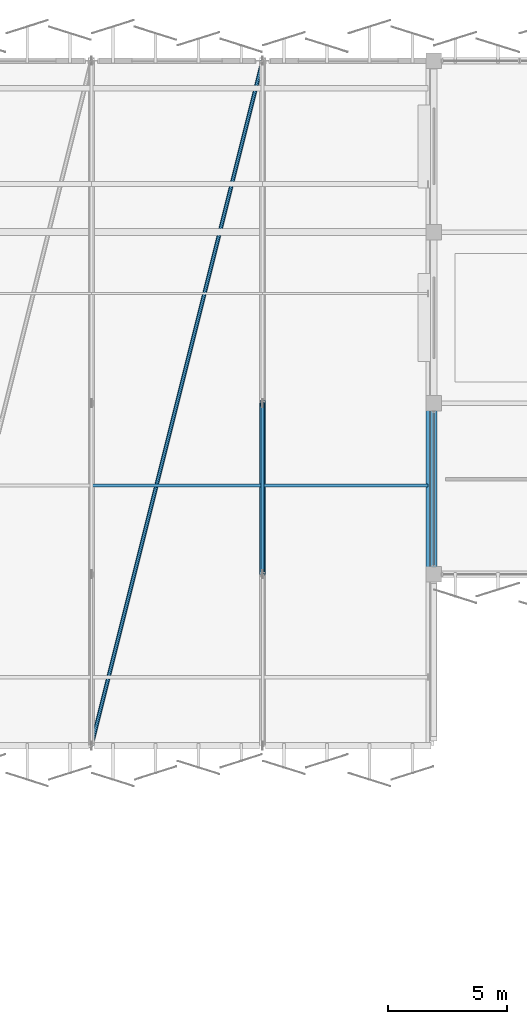
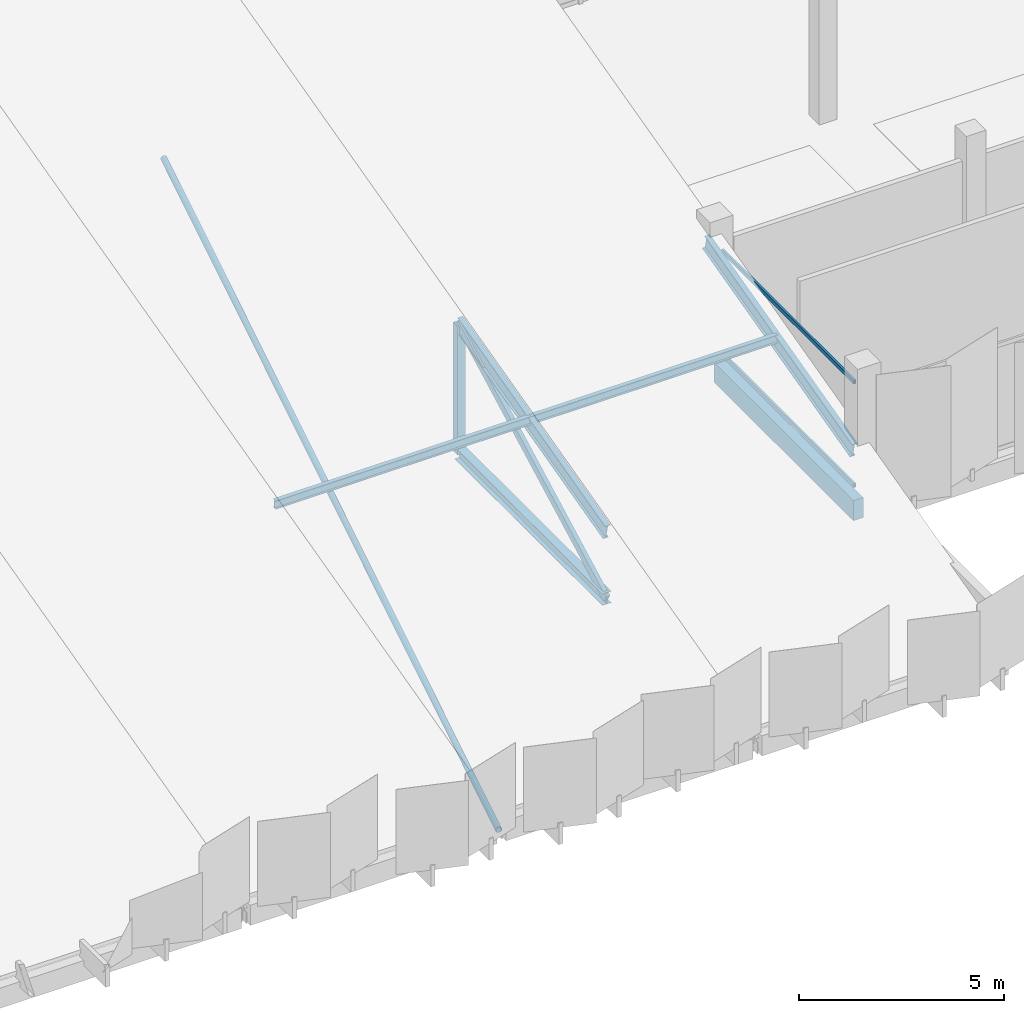
# One storey, part 34 of 108: 10 members, 1 beam, 1 element without a shape of its own.
"""IFC4 building model written with IfcOpenShell, lengths in metres."""

from ifc_helpers import new_model, si_unit, direction, frame, origin, origin_2d, place, context, subcontext, project, spatial, rectangle, hollow_rectangle, hollow_circle, i_section, extrude, material, layer, layer_set, material_profile, profile_set, type_object, element, aggregate, save


model = new_model("IFC4")

# Units and contexts
model_context = context("Model", 3, precision=1e-05, world=origin(), true_north=direction((0.0, 1.0)))
body_context = subcontext(model_context, "Body", "Model", "MODEL_VIEW")
ifc_project = project(units=[si_unit("LENGTHUNIT", "METRE"), si_unit("AREAUNIT", "SQUARE_METRE"), si_unit("VOLUMEUNIT", "CUBIC_METRE"), si_unit("PLANEANGLEUNIT", "RADIAN"), si_unit("MASSUNIT", "GRAM", prefix="KILO")], contexts=[model_context])

# Site, building, storey
site_placement = place(None, origin())
site = spatial("IfcSite", under=ifc_project, at=site_placement, CompositionType="ELEMENT")
building_placement = place(site_placement, origin())
building = spatial("IfcBuilding", under=site, at=building_placement, Name="Kangsadwip Square Police Headquarters", CompositionType="ELEMENT")
storey_placement = place(building_placement, frame((0.0, 0.0, 9.449951171875)))
storey = spatial("IfcBuildingStorey", under=building, at=storey_placement, Name="L02", CompositionType="ELEMENT", Elevation=9.449951171875)

# Curtain wall, members
ifc_material_1 = material(Name="Thermally broken anodised aluminium AW-6063-T6", Category="aluminium")
ifc_layer = layer(ifc_material_1, 0.159912109375)
ifc_layer_set = layer_set([ifc_layer], Name="Thermally broken anodised aluminium AW-6063-T6")
curtain_wall_type = type_object("IfcCurtainWallType", Name="CourtScreen6560x3200", PredefinedType="USERDEFINED", material=ifc_layer_set)
curtain_wall_placement = place(storey_placement, origin())
curtain_wall = element("IfcCurtainWall", 1, at=curtain_wall_placement, inside=storey, type_object=curtain_wall_type, Name="Curtain Wall CW-L02-0936-0939", ObjectType="GLAZED_SCREEN", PredefinedType="USERDEFINED")
ifc_material_2 = material(Name="Thermally broken anodised aluminium AW-6063-T6", Category="aluminium")
ifc_material_profile_1 = material_profile(ifc_material_2, hollow_rectangle(XDim=0.06005859375, YDim=0.1201171875, WallThickness=0.00390625, at=origin_2d()), Name="CWT 120X60X4")
ifc_profile_set_1 = profile_set([ifc_material_profile_1], Name="Thermally broken anodised aluminium AW-6063-T6")
member_type_1 = type_object("IfcMemberType", Name="CwTransom120x55", PredefinedType="USERDEFINED", material=ifc_profile_set_1)
member_1_placement = place(storey_placement, frame((93.60009765625, 93.97998046875, 0.06005859375), z_axis=(0.0, 1.0, 0.0), x_axis=(-1.0, 0.0, 0.0)))
member_1 = element("IfcMember", 2, at=member_1_placement, type_object=member_type_1, Name="CW-33 transom 1.1", ObjectType="TRANSOM", PredefinedType="USERDEFINED", context=body_context, shape_type="SweptSolid", body=[
    extrude(hollow_rectangle(XDim=0.06005859375, YDim=0.1201171875, WallThickness=0.00390625, at=origin_2d()), origin(), (0.0, 0.0, 1.0), 6.43994140625),
])
member_2_placement = place(storey_placement, frame((93.60009765625, 93.97998046875, 3.14013671875), z_axis=(0.0, 1.0, 0.0), x_axis=(-1.0, 0.0, 0.0)))
member_2 = element("IfcMember", 3, at=member_2_placement, type_object=member_type_1, Name="CW-33 transom 1.2", ObjectType="TRANSOM", PredefinedType="USERDEFINED", context=body_context, shape_type="SweptSolid", body=[
    extrude(hollow_rectangle(XDim=0.06005859375, YDim=0.1201171875, WallThickness=0.00390625, at=origin_2d()), origin(), (0.0, 0.0, 1.0), 6.43994140625),
])
aggregate(curtain_wall, [member_1, member_2])

# Beam
ifc_material_3 = material(Name="Concrete M40 (40 MPa)", Category="concrete")
ifc_material_profile_2 = material_profile(ifc_material_3, rectangle(XDim=0.280029296875, YDim=0.60009765625, at=origin_2d()), Name="RC SPN 600X280")
ifc_profile_set_2 = profile_set([ifc_material_profile_2], Name="Concrete M40 (40 MPa)")
beam_type = type_object("IfcBeamType", Name="RcSpandrel600x280", PredefinedType="SPANDREL", material=ifc_profile_set_2)
beam_placement = place(storey_placement, frame((93.60009765625, 93.800048828125, -0.5400390625), z_axis=(0.0, 1.0, 0.0), x_axis=(-1.0, 0.0, 0.0)))
element("IfcBeam", 4, at=beam_placement, inside=storey, type_object=beam_type, Name="Beam BM-L02-Y-13-13", PredefinedType="SPANDREL", context=body_context, shape_type="SweptSolid", body=[
    extrude(rectangle(XDim=0.280029296875, YDim=0.60009765625, at=origin_2d()), origin(), (0.0, 0.0, 1.0), 6.800048828125),
])

# Members
ifc_material_4 = material(Name="Structural steel IS 2062 E350 (Grade 350, 350 MPa)", Category="steel")
ifc_material_profile_3 = material_profile(ifc_material_4, i_section(OverallWidth=0.125, OverallDepth=0.25, WebThickness=0.0068359375, FlangeThickness=0.012451171875, at=origin_2d()), Name="ISMB 250")
ifc_profile_set_3 = profile_set([ifc_material_profile_3], Name="Structural steel IS 2062 E350 (Grade 350, 350 MPa)")
member_type_2 = type_object("IfcMemberType", Name="RoofPurlinIsmb250", PredefinedType="PURLIN", material=ifc_profile_set_3)
member_3_placement = place(storey_placement, frame((79.199951171875, 97.343994140625, 2.507080078125), z_axis=(1.0, 0.0, 0.0), x_axis=(0.0, 1.0, 0.0)))
element("IfcMember", 5, at=member_3_placement, inside=storey, type_object=member_type_2, Name="Truss Member MEM-L02-0109", PredefinedType="PURLIN", context=body_context, shape_type="SweptSolid", body=[
    extrude(i_section(OverallWidth=0.125, OverallDepth=0.25, WebThickness=0.0068359375, FlangeThickness=0.012451171875, at=origin_2d()), origin(), (0.0, 0.0, 1.0), 7.199951171875),
])
member_4_placement = place(storey_placement, frame((86.39990234375, 97.343994140625, 2.507080078125), z_axis=(1.0, 0.0, 0.0), x_axis=(0.0, 1.0, 0.0)))
element("IfcMember", 6, at=member_4_placement, inside=storey, type_object=member_type_2, Name="Truss Member MEM-L02-0115", PredefinedType="PURLIN", context=body_context, shape_type="SweptSolid", body=[
    extrude(i_section(OverallWidth=0.125, OverallDepth=0.25, WebThickness=0.0068359375, FlangeThickness=0.012451171875, at=origin_2d()), origin(), (0.0, 0.0, 1.0), 6.9501953125),
])
ifc_material_5 = material(Name="Structural steel IS 2062 E350 (Grade 350, 350 MPa)", Category="steel")
ifc_material_profile_4 = material_profile(ifc_material_5, hollow_circle(Radius=0.083984375, WallThickness=0.008056640625, at=origin_2d()), Name="CHS 168X8")
ifc_profile_set_4 = profile_set([ifc_material_profile_4], Name="Structural steel IS 2062 E350 (Grade 350, 350 MPa)")
member_type_3 = type_object("IfcMemberType", Name="RoofWindBraceChs168", PredefinedType="BRACE", material=ifc_profile_set_4)
member_5_placement = place(storey_placement, frame((79.199951171875, 86.39990234375, -0.550048828125), z_axis=(0.242533689979, 0.970142983908, 0.0), x_axis=(-0.970142983908, 0.242533689979, 0.0)))
element("IfcMember", 7, at=member_5_placement, inside=storey, type_object=member_type_3, Name="Truss Member MEM-L02-0113", PredefinedType="BRACE", context=body_context, shape_type="SweptSolid", body=[
    extrude(hollow_circle(Radius=0.083984375, WallThickness=0.008056640625, at=origin_2d()), origin(), (0.0, 0.0, 1.0), 29.686279296875),
])
ifc_material_6 = material(Name="Structural steel IS 2062 E350 (Grade 350, 350 MPa)", Category="steel")
ifc_material_profile_5 = material_profile(ifc_material_6, i_section(OverallWidth=0.14990234375, OverallDepth=0.449951171875, WebThickness=0.009521484375, FlangeThickness=0.017333984375, at=origin_2d()), Name="ISMB 450")
ifc_profile_set_5 = profile_set([ifc_material_profile_5], Name="Structural steel IS 2062 E350 (Grade 350, 350 MPa)")
member_type_4 = type_object("IfcMemberType", Name="SawtoothRafterIsmb450", PredefinedType="RAFTER", material=ifc_profile_set_5)
for number, where, z_axis, x_axis, name in (
    (8, (86.39990234375, 93.60009765625, 1.429931640625), (0.0, 0.96853569304, 0.248874689968), (-1.0, 0.0, 0.0), "Truss Member MEM-L02-0068"),
    (9, (93.35009765625, 93.60009765625, 1.429931640625), (0.0, 0.96853569304, 0.248874689968), (-1.0, 0.0, 0.0), "Truss Member MEM-L02-0077"),
):
    element("IfcMember", number, at=place(storey_placement, frame(where, z_axis=z_axis, x_axis=x_axis)), inside=storey, type_object=member_type_4, Name=name, PredefinedType="RAFTER", context=body_context, shape_type="SweptSolid", body=[
        extrude(i_section(OverallWidth=0.14990234375, OverallDepth=0.449951171875, WebThickness=0.009521484375, FlangeThickness=0.017333984375, at=origin_2d()), origin(), (0.0, 0.0, 1.0), 7.433837890625),
    ])
ifc_material_7 = material(Name="Structural steel IS 2062 E350 (Grade 350, 350 MPa)", Category="steel")
ifc_material_profile_6 = material_profile(ifc_material_7, i_section(OverallWidth=0.25, OverallDepth=0.35009765625, WebThickness=0.010009765625, FlangeThickness=0.01171875, at=origin_2d()), Name="ISHB 350")
ifc_profile_set_6 = profile_set([ifc_material_profile_6], Name="Structural steel IS 2062 E350 (Grade 350, 350 MPa)")
member_type_5 = type_object("IfcMemberType", Name="TrussBotChordIshb350", PredefinedType="CHORD", material=ifc_profile_set_6)
member_6_placement = place(storey_placement, frame((86.39990234375, 93.60009765625, -0.550048828125), z_axis=(0.0, 1.0, 0.0), x_axis=(-1.0, 0.0, 0.0)))
element("IfcMember", 10, at=member_6_placement, inside=storey, type_object=member_type_5, Name="Truss Member MEM-L02-0065", PredefinedType="CHORD", context=body_context, shape_type="SweptSolid", body=[
    extrude(i_section(OverallWidth=0.25, OverallDepth=0.35009765625, WebThickness=0.010009765625, FlangeThickness=0.01171875, at=origin_2d()), origin(), (0.0, 0.0, 1.0), 7.199951171875),
])
ifc_material_8 = material(Name="Structural steel IS 2062 E350 (Grade 350, 350 MPa)", Category="steel")
ifc_material_profile_7 = material_profile(ifc_material_8, hollow_rectangle(XDim=0.1201171875, YDim=0.239990234375, WallThickness=0.008056640625, at=origin_2d()), Name="RHS 240X120X8")
ifc_profile_set_7 = profile_set([ifc_material_profile_7], Name="Structural steel IS 2062 E350 (Grade 350, 350 MPa)")
member_type_6 = type_object("IfcMemberType", Name="TrussBraceRhs240", PredefinedType="BRACE", material=ifc_profile_set_7)
member_7_placement = place(storey_placement, frame((86.39990234375, 93.60009765625, -0.550048828125), z_axis=(0.0, 0.882856279608, 0.469643257756), x_axis=(-1.0, 0.0, 0.0)))
element("IfcMember", 11, at=member_7_placement, inside=storey, type_object=member_type_6, Name="Truss Member MEM-L02-0074", PredefinedType="BRACE", context=body_context, shape_type="SweptSolid", body=[
    extrude(hollow_rectangle(XDim=0.1201171875, YDim=0.239990234375, WallThickness=0.008056640625, at=origin_2d()), origin(), (0.0, 0.0, 1.0), 8.1552734375),
])
ifc_material_9 = material(Name="Structural steel IS 2062 E350 (Grade 350, 350 MPa)", Category="steel")
ifc_material_profile_8 = material_profile(ifc_material_9, hollow_rectangle(XDim=0.219970703125, YDim=0.219970703125, WallThickness=0.010009765625, at=origin_2d()), Name="SHS 220X220X10")
ifc_profile_set_8 = profile_set([ifc_material_profile_8], Name="Structural steel IS 2062 E350 (Grade 350, 350 MPa)")
member_type_7 = type_object("IfcMemberType", Name="TrussPostShs220", PredefinedType="POST", material=ifc_profile_set_8)
member_8_placement = place(storey_placement, frame((86.39990234375, 100.800048828125, -0.550048828125), z_axis=(0.0, 0.0, 1.0), x_axis=(1.0, 0.0, 0.0)))
element("IfcMember", 12, at=member_8_placement, inside=storey, type_object=member_type_7, Name="Truss Member MEM-L02-0071", PredefinedType="POST", context=body_context, shape_type="SweptSolid", body=[
    extrude(hollow_rectangle(XDim=0.219970703125, YDim=0.219970703125, WallThickness=0.010009765625, at=origin_2d()), origin(), (0.0, 0.0, 1.0), 3.830078125),
])

save(model, "model.ifc")
